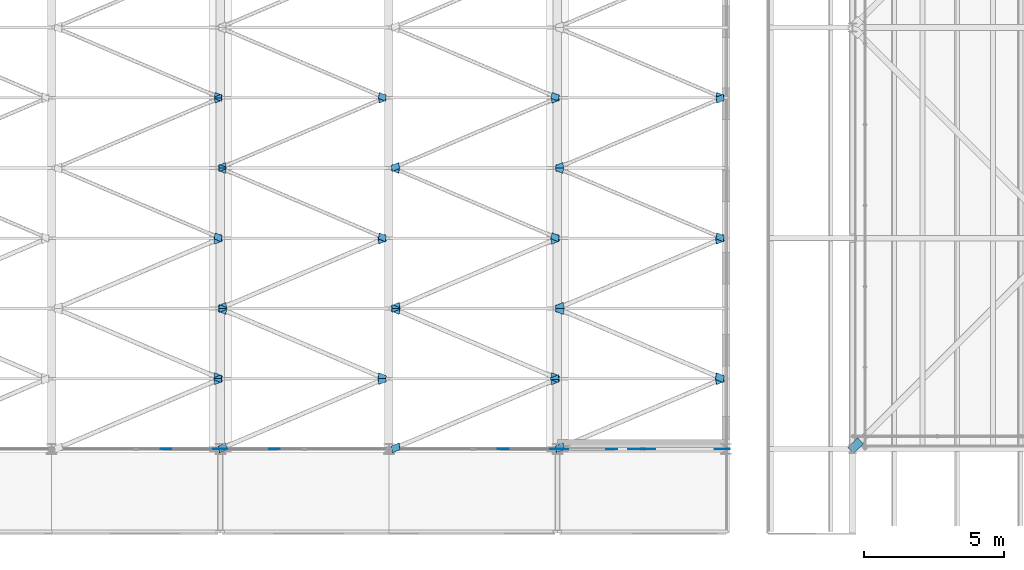
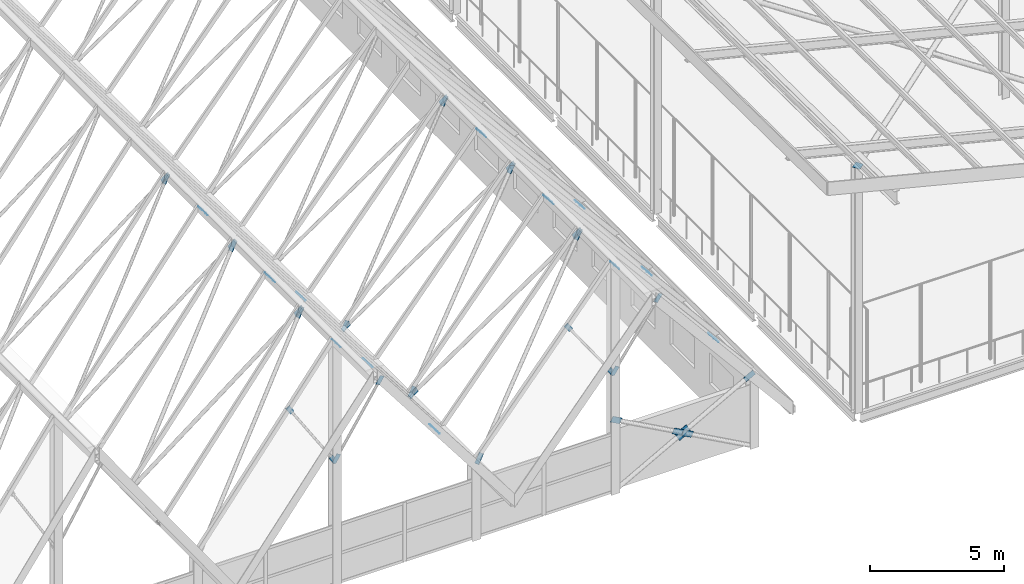
# One storey, part 429 of 483: 53 discrete accessories.
"""IFC4 building model written with IfcOpenShell, lengths in metres."""

from ifc_helpers import new_model, si_unit, direction, frame, origin, place, context, subcontext, project, spatial, polyline, outline, extrude, material, layer, layer_set, type_object, element, save


model = new_model("IFC4")

# Units and contexts
model_context = context("Model", 3, precision=1e-05, world=origin(), true_north=direction((0.0, 1.0)))
body_context = subcontext(model_context, "Body", "Model", "MODEL_VIEW")
ifc_project = project(units=[si_unit("LENGTHUNIT", "METRE"), si_unit("AREAUNIT", "SQUARE_METRE"), si_unit("VOLUMEUNIT", "CUBIC_METRE"), si_unit("PLANEANGLEUNIT", "RADIAN"), si_unit("MASSUNIT", "GRAM", prefix="KILO")], contexts=[model_context])

# Site, building, storey
site_placement = place(None, origin())
site = spatial("IfcSite", under=ifc_project, at=site_placement, CompositionType="ELEMENT")
building_placement = place(site_placement, origin())
building = spatial("IfcBuilding", under=site, at=building_placement, Name="Parallax Yard Mobility Hub", CompositionType="ELEMENT")
storey_placement = place(building_placement, frame((0.0, 0.0, 13.199951171875)))
storey = spatial("IfcBuildingStorey", under=building, at=storey_placement, Name="L04", CompositionType="ELEMENT", Elevation=13.199951171875)

# Discrete accessories
ifc_material = material(Name="Steel ASTM A36", Category="steel")
ifc_layer = layer(ifc_material, 0.011962890625)
ifc_layer_set = layer_set([ifc_layer], Name="Gusset plate PL12")
discrete_accessory_type = type_object("IfcDiscreteAccessoryType", Name="Gusset plate PL12", PredefinedType="BRACKET", material=ifc_layer_set)
for number, where, z_axis, x_axis, name in (
    (1, (74.80224609375, 9.787109375, 10.78173828125), (-0.793757608826, -0.000360064242, 0.60823410689), (0.58860275076, 0.251558252406, 0.768287216765), "Gusset plate PL12 at end 2 of Plate diagonal plate F11-F12 bay 1"),
    (2, (75.19775390625, 7.712890625, 10.78173828125), (0.793757608826, 0.000360064242, 0.60823410689), (-0.58860275076, -0.251558252406, 0.768287216765), "Gusset plate PL12 at end 1 of Plate diagonal plate F12-F13 bay 1"),
):
    element("IfcDiscreteAccessory", number, at=place(storey_placement, frame(where, z_axis=z_axis, x_axis=x_axis)), inside=storey, type_object=discrete_accessory_type, Name=name, PredefinedType="BRACKET", context=body_context, shape_type="SweptSolid", body=[
        extrude(outline(polyline([(0.0, 0.0), (0.44837713599566964, 0.0), (0.44837726892984486, 0.24846871617768845), (1.3293417525095386e-07, 0.24846871617768843), (0.0, 0.0)])), origin(), (0.0, 0.0, -1.0), 0.011962890625),
    ])
discrete_accessory_1_placement = place(storey_placement, frame((80.64990234375, 9.787109375, 3.66748046875), z_axis=(0.793562548739, 0.000276717844, 0.608488623284), x_axis=(0.588849048877, 0.251663515801, -0.768063976796)))
element("IfcDiscreteAccessory", 3, at=discrete_accessory_1_placement, inside=storey, type_object=discrete_accessory_type, Name="Gusset plate PL12 at end 2 of Plate diagonal plate F12-F13 bay 1", PredefinedType="BRACKET", context=body_context, shape_type="SweptSolid", body=[
    extrude(outline(polyline([(0.0, 0.0), (0.44818959311966156, -1.3877787807814457e-17), (0.44821672303905474, 0.2484687146965867), (2.7129919393138746e-05, 0.24846871469658674), (0.0, 0.0)])), origin(), (0.0, 0.0, -1.0), 0.011962890625),
])
discrete_accessory_2_placement = place(storey_placement, frame((81.359375, 7.71728515625, 3.654296875), z_axis=(-0.766561934344, 0.000320283639, 0.642170303138), x_axis=(-0.619236015729, -0.265231228733, -0.739052875056)))
element("IfcDiscreteAccessory", 4, at=discrete_accessory_2_placement, inside=storey, type_object=discrete_accessory_type, Name="Gusset plate PL12 at end 1 of Plate diagonal plate F13-F14 bay 1", PredefinedType="BRACKET", context=body_context, shape_type="SweptSolid", body=[
    extrude(outline(polyline([(0.0, 0.0), (0.4482748314765935, 1.3877787807814457e-17), (0.4482296235420875, 0.24815762256273663), (1.954578344626895e-05, 0.24839301923788817), (0.0, 0.0)])), origin(), (0.0, 0.0, -1.0), 0.011962890625),
])
discrete_accessory_3_placement = place(storey_placement, frame((86.79296875, 9.78271484375, 10.138427734375), z_axis=(-0.766423126703, -0.000338641757, 0.642335952736), x_axis=(0.619296461685, 0.265035150302, 0.739072568595)))
element("IfcDiscreteAccessory", 5, at=discrete_accessory_3_placement, inside=storey, type_object=discrete_accessory_type, Name="Gusset plate PL12 at end 2 of Plate diagonal plate F13-F14 bay 1", PredefinedType="BRACKET", context=body_context, shape_type="SweptSolid", body=[
    extrude(outline(polyline([(0.0, 0.0), (0.44860645501608926, -1.3877787807814457e-17), (0.448359590090144, 0.248199172678914), (0.00014947398532942635, 0.2483434176633075), (0.0, 0.0)])), origin(), (0.0, 0.0, -1.0), 0.011962890625),
])
discrete_accessory_4_placement = place(storey_placement, frame((87.207275390625, 7.716796875, 10.138427734375), z_axis=(0.766323593675, -0.0005483988, 0.642454550171), x_axis=(-0.619839223364, -0.263622305895, 0.739122870039)))
element("IfcDiscreteAccessory", 6, at=discrete_accessory_4_placement, inside=storey, type_object=discrete_accessory_type, Name="Gusset plate PL12 at end 1 of Plate diagonal plate F14-F15 bay 1", PredefinedType="BRACKET", context=body_context, shape_type="SweptSolid", body=[
    extrude(outline(polyline([(0.0, 0.0), (0.4482324137899927, 0.0), (0.4481693826464289, 0.24830205012139606), (-6.303114356377704e-05, 0.24830205012139606), (0.0, 0.0)])), origin(), (0.0, 0.0, -1.0), 0.011962890625),
])
discrete_accessory_5_placement = place(storey_placement, frame((92.665771484375, 9.783203125, 3.624267578125), z_axis=(0.766378615335, -0.000197596238, 0.642389117991), x_axis=(0.619705157679, 0.263622344498, -0.739235265006)))
element("IfcDiscreteAccessory", 7, at=discrete_accessory_5_placement, inside=storey, type_object=discrete_accessory_type, Name="Gusset plate PL12 at end 2 of Plate diagonal plate F14-F15 bay 1", PredefinedType="BRACKET", context=body_context, shape_type="SweptSolid", body=[
    extrude(outline(polyline([(0.0, 0.0), (0.4482324069306387, -1.3877787807814457e-17), (0.4483498394270229, 0.2482526830043332), (-6.30448632363001e-05, 0.24830203773547466), (0.0, 0.0)])), origin(), (0.0, 0.0, -1.0), 0.011962890625),
])
discrete_accessory_6_placement = place(storey_placement, frame((74.76416015625, 9.972412109375, 10.732177734375), z_axis=(-0.793757608826, 0.000360064242, 0.60823410689), x_axis=(0.58860275076, -0.251558252406, 0.768287216765)))
element("IfcDiscreteAccessory", 8, at=discrete_accessory_6_placement, inside=storey, type_object=discrete_accessory_type, Name="Gusset plate PL12 at end 1 of Plate diagonal plate F11-F12 bay 2", PredefinedType="BRACKET", context=body_context, shape_type="SweptSolid", body=[
    extrude(outline(polyline([(0.0, 0.0), (0.44837713599566964, 0.0), (0.44837700306149436, 0.24846871617768845), (-1.3293417525095386e-07, 0.24846871617768843), (0.0, 0.0)])), origin(), (0.0, 0.0, -1.0), 0.011962890625),
])
discrete_accessory_7_placement = place(storey_placement, frame((80.61181640625, 9.972412109375, 3.717041015625), z_axis=(0.793562548739, -0.000276717844, 0.608488623284), x_axis=(0.588849048877, -0.251663515801, -0.768063976796)))
element("IfcDiscreteAccessory", 9, at=discrete_accessory_7_placement, inside=storey, type_object=discrete_accessory_type, Name="Gusset plate PL12 at end 1 of Plate diagonal plate F12-F13 bay 2", PredefinedType="BRACKET", context=body_context, shape_type="SweptSolid", body=[
    extrude(outline(polyline([(0.0, 0.0), (0.44818959311966156, 1.3877787807814457e-17), (0.4481624632002684, 0.24846871469658677), (-2.7129919393138746e-05, 0.24846871469658674), (0.0, 0.0)])), origin(), (0.0, 0.0, -1.0), 0.011962890625),
])
discrete_accessory_8_placement = place(storey_placement, frame((75.23583984375, 12.527587890625, 10.732177734375), z_axis=(0.793757608826, -0.000360064242, 0.60823410689), x_axis=(-0.58860275076, 0.251558252406, 0.768287216765)))
element("IfcDiscreteAccessory", 10, at=discrete_accessory_8_placement, inside=storey, type_object=discrete_accessory_type, Name="Gusset plate PL12 at end 2 of Plate diagonal plate F12-F13 bay 2", PredefinedType="BRACKET", context=body_context, shape_type="SweptSolid", body=[
    extrude(outline(polyline([(0.0, 0.0), (0.44837713599566964, 0.0), (0.44837700306149436, 0.24846871617768845), (-1.3293417525095386e-07, 0.24846871617768843), (0.0, 0.0)])), origin(), (0.0, 0.0, -1.0), 0.011962890625),
])
discrete_accessory_9_placement = place(storey_placement, frame((86.750732421875, 9.977783203125, 10.088134765625), z_axis=(-0.766423126703, 0.000338641757, 0.642335952736), x_axis=(0.619351298073, -0.264724820984, 0.739137834731)))
element("IfcDiscreteAccessory", 11, at=discrete_accessory_9_placement, inside=storey, type_object=discrete_accessory_type, Name="Gusset plate PL12 at end 1 of Plate diagonal plate F13-F14 bay 2", PredefinedType="BRACKET", context=body_context, shape_type="SweptSolid", body=[
    extrude(outline(polyline([(0.0, 0.0), (0.448210139315597, 0.0), (0.4485368807925598, 0.24819908037862726), (-6.955099222361733e-05, 0.2483434529071056), (0.0, 0.0)])), origin(), (0.0, 0.0, -1.0), 0.011962890625),
])
discrete_accessory_10_placement = place(storey_placement, frame((81.401611328125, 12.522216796875, 3.704833984375), z_axis=(-0.766561934344, -0.000320283639, 0.642170303138), x_axis=(-0.619325258726, 0.264724809384, -0.739159657449)))
element("IfcDiscreteAccessory", 12, at=discrete_accessory_10_placement, inside=storey, type_object=discrete_accessory_type, Name="Gusset plate PL12 at end 2 of Plate diagonal plate F13-F14 bay 2", PredefinedType="BRACKET", context=body_context, shape_type="SweptSolid", body=[
    extrude(outline(polyline([(0.0, 0.0), (0.4482101395729484, 0.0), (0.44838567806295226, 0.2481575645955318), (0.0001109084095877802, 0.24839299524639621), (0.0, 0.0)])), origin(), (0.0, 0.0, -1.0), 0.011962890625),
])
discrete_accessory_11_placement = place(storey_placement, frame((92.623779296875, 9.977294921875, 3.674560546875), z_axis=(0.766378615335, 0.000197596238, 0.642389117991), x_axis=(0.619723777212, -0.263516170987, -0.739257511011)))
element("IfcDiscreteAccessory", 13, at=discrete_accessory_11_placement, inside=storey, type_object=discrete_accessory_type, Name="Gusset plate PL12 at end 1 of Plate diagonal plate F14-F15 bay 2", PredefinedType="BRACKET", context=body_context, shape_type="SweptSolid", body=[
    extrude(outline(polyline([(0.0, 0.0), (0.4484128870063827, -2.7755575615628914e-17), (0.44832277853457225, 0.2482526944258702), (9.037431896376236e-05, 0.24830202929240497), (0.0, 0.0)])), origin(), (0.0, 0.0, -1.0), 0.011962890625),
])
discrete_accessory_12_placement = place(storey_placement, frame((87.249267578125, 12.522705078125, 10.088134765625), z_axis=(0.766323593675, 0.0005483988, 0.642454550171), x_axis=(-0.619839223364, 0.263622305895, 0.739122870039)))
element("IfcDiscreteAccessory", 14, at=discrete_accessory_12_placement, inside=storey, type_object=discrete_accessory_type, Name="Gusset plate PL12 at end 2 of Plate diagonal plate F14-F15 bay 2", PredefinedType="BRACKET", context=body_context, shape_type="SweptSolid", body=[
    extrude(outline(polyline([(0.0, 0.0), (0.4482324137899927, 0.0), (0.44829544493355644, 0.24830205012139606), (6.303114356377704e-05, 0.24830205012139606), (0.0, 0.0)])), origin(), (0.0, 0.0, -1.0), 0.011962890625),
])
for number, where, z_axis, x_axis, name in (
    (15, (74.80224609375, 14.787109375, 10.78173828125), (-0.793757608826, -0.000360064242, 0.60823410689), (0.58860275076, 0.251558252406, 0.768287216765), "Gusset plate PL12 at end 2 of Plate diagonal plate F11-F12 bay 3"),
    (16, (75.19775390625, 12.712890625, 10.78173828125), (0.793757608826, 0.000360064242, 0.60823410689), (-0.58860275076, -0.251558252406, 0.768287216765), "Gusset plate PL12 at end 1 of Plate diagonal plate F12-F13 bay 3"),
):
    element("IfcDiscreteAccessory", number, at=place(storey_placement, frame(where, z_axis=z_axis, x_axis=x_axis)), inside=storey, type_object=discrete_accessory_type, Name=name, PredefinedType="BRACKET", context=body_context, shape_type="SweptSolid", body=[
        extrude(outline(polyline([(0.0, 0.0), (0.44837713599566964, 0.0), (0.44837726892984486, 0.24846871617768845), (1.3293417525095386e-07, 0.24846871617768843), (0.0, 0.0)])), origin(), (0.0, 0.0, -1.0), 0.011962890625),
    ])
discrete_accessory_13_placement = place(storey_placement, frame((80.64990234375, 14.787109375, 3.66748046875), z_axis=(0.793562548739, 0.000276717844, 0.608488623284), x_axis=(0.588849048877, 0.251663515801, -0.768063976796)))
element("IfcDiscreteAccessory", 17, at=discrete_accessory_13_placement, inside=storey, type_object=discrete_accessory_type, Name="Gusset plate PL12 at end 2 of Plate diagonal plate F12-F13 bay 3", PredefinedType="BRACKET", context=body_context, shape_type="SweptSolid", body=[
    extrude(outline(polyline([(0.0, 0.0), (0.44818959311966156, -1.3877787807814457e-17), (0.44821672303905474, 0.2484687146965867), (2.7129919393138746e-05, 0.24846871469658674), (0.0, 0.0)])), origin(), (0.0, 0.0, -1.0), 0.011962890625),
])
discrete_accessory_14_placement = place(storey_placement, frame((81.359375, 12.71728515625, 3.654296875), z_axis=(-0.766561934344, 0.000320283639, 0.642170303138), x_axis=(-0.619236015729, -0.265231228733, -0.739052875056)))
element("IfcDiscreteAccessory", 18, at=discrete_accessory_14_placement, inside=storey, type_object=discrete_accessory_type, Name="Gusset plate PL12 at end 1 of Plate diagonal plate F13-F14 bay 3", PredefinedType="BRACKET", context=body_context, shape_type="SweptSolid", body=[
    extrude(outline(polyline([(0.0, 0.0), (0.4482748314765935, 1.3877787807814457e-17), (0.4482296235420875, 0.24815762256273663), (1.954578344626895e-05, 0.24839301923788817), (0.0, 0.0)])), origin(), (0.0, 0.0, -1.0), 0.011962890625),
])
discrete_accessory_15_placement = place(storey_placement, frame((86.79296875, 14.78271484375, 10.138427734375), z_axis=(-0.766423126703, -0.000338641757, 0.642335952736), x_axis=(0.619296461685, 0.265035150302, 0.739072568595)))
element("IfcDiscreteAccessory", 19, at=discrete_accessory_15_placement, inside=storey, type_object=discrete_accessory_type, Name="Gusset plate PL12 at end 2 of Plate diagonal plate F13-F14 bay 3", PredefinedType="BRACKET", context=body_context, shape_type="SweptSolid", body=[
    extrude(outline(polyline([(0.0, 0.0), (0.44860645501608926, -1.3877787807814457e-17), (0.448359590090144, 0.248199172678914), (0.00014947398532942635, 0.2483434176633075), (0.0, 0.0)])), origin(), (0.0, 0.0, -1.0), 0.011962890625),
])
discrete_accessory_16_placement = place(storey_placement, frame((87.207275390625, 12.716796875, 10.138427734375), z_axis=(0.766323593675, -0.0005483988, 0.642454550171), x_axis=(-0.619839223364, -0.263622305895, 0.739122870039)))
element("IfcDiscreteAccessory", 20, at=discrete_accessory_16_placement, inside=storey, type_object=discrete_accessory_type, Name="Gusset plate PL12 at end 1 of Plate diagonal plate F14-F15 bay 3", PredefinedType="BRACKET", context=body_context, shape_type="SweptSolid", body=[
    extrude(outline(polyline([(0.0, 0.0), (0.4482324137899927, 0.0), (0.4481693826464289, 0.24830205012139606), (-6.303114356377704e-05, 0.24830205012139606), (0.0, 0.0)])), origin(), (0.0, 0.0, -1.0), 0.011962890625),
])
discrete_accessory_17_placement = place(storey_placement, frame((92.665771484375, 14.783203125, 3.624267578125), z_axis=(0.766378615335, -0.000197596238, 0.642389117991), x_axis=(0.619705157679, 0.263622344498, -0.739235265006)))
element("IfcDiscreteAccessory", 21, at=discrete_accessory_17_placement, inside=storey, type_object=discrete_accessory_type, Name="Gusset plate PL12 at end 2 of Plate diagonal plate F14-F15 bay 3", PredefinedType="BRACKET", context=body_context, shape_type="SweptSolid", body=[
    extrude(outline(polyline([(0.0, 0.0), (0.4482324069306387, -1.3877787807814457e-17), (0.4483498394270229, 0.2482526830043332), (-6.30448632363001e-05, 0.24830203773547466), (0.0, 0.0)])), origin(), (0.0, 0.0, -1.0), 0.011962890625),
])
discrete_accessory_18_placement = place(storey_placement, frame((74.783203125, 14.979248046875, 10.7568359375), z_axis=(-0.793814652536, 8.9168627e-05, 0.608159756534), x_axis=(0.588543803206, -0.251817654929, 0.768247395292)))
element("IfcDiscreteAccessory", 22, at=discrete_accessory_18_placement, inside=storey, type_object=discrete_accessory_type, Name="Gusset plate PL12 at end 1 of Plate diagonal plate F11-F12 bay 4", PredefinedType="BRACKET", context=body_context, shape_type="SweptSolid", body=[
    extrude(outline(polyline([(0.0, 0.0), (0.41979936098883397, -2.7755575615628914e-17), (0.4198409621977497, 0.21973808712240064), (4.1601208915741095e-05, 0.21973808712240064), (0.0, 0.0)])), origin(), (0.0, 0.0, -1.0), 0.011962890625),
])
discrete_accessory_19_placement = place(storey_placement, frame((80.630859375, 14.979248046875, 3.6923828125), z_axis=(0.793746279753, 0.000395732461, 0.60824886911), x_axis=(0.588727021511, -0.251817570299, -0.768107027328)))
element("IfcDiscreteAccessory", 23, at=discrete_accessory_19_placement, inside=storey, type_object=discrete_accessory_type, Name="Gusset plate PL12 at end 1 of Plate diagonal plate F12-F13 bay 4", PredefinedType="BRACKET", context=body_context, shape_type="SweptSolid", body=[
    extrude(outline(polyline([(0.0, 0.0), (0.41979934980703304, -4.163336342344337e-17), (0.41984097338065895, 0.2197380657558558), (-0.00010210860936022553, 0.21970074549524257), (0.0, 0.0)])), origin(), (0.0, 0.0, -1.0), 0.011962890625),
])
discrete_accessory_20_placement = place(storey_placement, frame((75.216796875, 17.520751953125, 10.7568359375), z_axis=(0.793814652536, -8.9168627e-05, 0.608159756534), x_axis=(-0.588543803206, 0.251817654929, 0.768247395292)))
element("IfcDiscreteAccessory", 24, at=discrete_accessory_20_placement, inside=storey, type_object=discrete_accessory_type, Name="Gusset plate PL12 at end 2 of Plate diagonal plate F12-F13 bay 4", PredefinedType="BRACKET", context=body_context, shape_type="SweptSolid", body=[
    extrude(outline(polyline([(0.0, 0.0), (0.41979936098883397, -2.7755575615628914e-17), (0.4198409621977497, 0.21973808712240064), (4.1601208915741095e-05, 0.21973808712240064), (0.0, 0.0)])), origin(), (0.0, 0.0, -1.0), 0.011962890625),
])
discrete_accessory_21_placement = place(storey_placement, frame((86.77099609375, 14.98388671875, 10.112060546875), z_axis=(-0.766747811527, -0.000630720842, 0.641948125403), x_axis=(0.619194033043, -0.264611471916, 0.739310163851)))
element("IfcDiscreteAccessory", 25, at=discrete_accessory_21_placement, inside=storey, type_object=discrete_accessory_type, Name="Gusset plate PL12 at end 1 of Plate diagonal plate F13-F14 bay 4", PredefinedType="BRACKET", context=body_context, shape_type="SweptSolid", body=[
    extrude(outline(polyline([(0.0, 0.0), (0.41980055741407596, 1.3877787807814457e-17), (0.4197342721074152, 0.21972883832774476), (8.488511156258538e-05, 0.21977019588146246), (0.0, 0.0)])), origin(), (0.0, 0.0, -1.0), 0.011962890625),
])
discrete_accessory_22_placement = place(storey_placement, frame((81.381591796875, 17.51611328125, 3.6806640625), z_axis=(-0.766426841757, 0.000485063303, 0.642331426094), x_axis=(-0.619317240789, 0.264724925871, -0.739166333706)))
element("IfcDiscreteAccessory", 26, at=discrete_accessory_22_placement, inside=storey, type_object=discrete_accessory_type, Name="Gusset plate PL12 at end 2 of Plate diagonal plate F13-F14 bay 4", PredefinedType="BRACKET", context=body_context, shape_type="SweptSolid", body=[
    extrude(outline(polyline([(0.0, 0.0), (0.4196201041303643, 0.0), (0.41967912299094895, 0.2197701569995703), (2.9758828134156257e-05, 0.21976229757594196), (0.0, 0.0)])), origin(), (0.0, 0.0, -1.0), 0.011962890625),
])
discrete_accessory_23_placement = place(storey_placement, frame((92.643798828125, 14.983642578125, 3.650390625), z_axis=(0.766350564195, 6.0395944e-05, 0.642422609433), x_axis=(0.619647749995, -0.263975236545, -0.739157453062)))
element("IfcDiscreteAccessory", 27, at=discrete_accessory_23_placement, inside=storey, type_object=discrete_accessory_type, Name="Gusset plate PL12 at end 1 of Plate diagonal plate F14-F15 bay 4", PredefinedType="BRACKET", context=body_context, shape_type="SweptSolid", body=[
    extrude(outline(polyline([(0.0, 0.0), (0.4198873002265475, 0.0), (0.41972095108079355, 0.2199147941764037), (4.937912244436238e-05, 0.21972070471412608), (0.0, 0.0)])), origin(), (0.0, 0.0, -1.0), 0.011962890625),
])
discrete_accessory_24_placement = place(storey_placement, frame((87.22900390625, 17.516357421875, 10.112060546875), z_axis=(0.766560723471, 0.000412226513, 0.642171696123), x_axis=(-0.619460290951, 0.264070357105, 0.73928059249)))
element("IfcDiscreteAccessory", 28, at=discrete_accessory_24_placement, inside=storey, type_object=discrete_accessory_type, Name="Gusset plate PL12 at end 2 of Plate diagonal plate F14-F15 bay 4", PredefinedType="BRACKET", context=body_context, shape_type="SweptSolid", body=[
    extrude(outline(polyline([(0.0, 0.0), (0.41973603150491046, 0.0), (0.41954801679147935, 0.21991479661479002), (-0.00012354441140352557, 0.21967932216861122), (0.0, 0.0)])), origin(), (0.0, 0.0, -1.0), 0.011962890625),
])
for number, where, z_axis, x_axis, name in (
    (29, (74.81689453125, 19.80810546875, 10.80078125), (-0.793814652536, -8.9168627e-05, 0.608159756534), (0.588543803206, 0.251817654929, 0.768247395292), "Gusset plate PL12 at end 2 of Plate diagonal plate F11-F12 bay 5"),
    (30, (75.18310546875, 17.69189453125, 10.80078125), (0.793814652536, 8.9168627e-05, 0.608159756534), (-0.588543803206, -0.251817654929, 0.768247395292), "Gusset plate PL12 at end 1 of Plate diagonal plate F12-F13 bay 5"),
):
    element("IfcDiscreteAccessory", number, at=place(storey_placement, frame(where, z_axis=z_axis, x_axis=x_axis)), inside=storey, type_object=discrete_accessory_type, Name=name, PredefinedType="BRACKET", context=body_context, shape_type="SweptSolid", body=[
        extrude(outline(polyline([(0.0, 0.0), (0.41979936098883397, 2.7755575615628914e-17), (0.4197577597799182, 0.2197380871224007), (-4.1601208915741095e-05, 0.21973808712240064), (0.0, 0.0)])), origin(), (0.0, 0.0, -1.0), 0.011962890625),
    ])
discrete_accessory_25_placement = place(storey_placement, frame((80.664306640625, 19.80810546875, 3.6484375), z_axis=(0.793746279753, -0.000395732461, 0.60824886911), x_axis=(0.588740604162, 0.251731563359, -0.768124808231)))
element("IfcDiscreteAccessory", 31, at=discrete_accessory_25_placement, inside=storey, type_object=discrete_accessory_type, Name="Gusset plate PL12 at end 2 of Plate diagonal plate F12-F13 bay 5", PredefinedType="BRACKET", context=body_context, shape_type="SweptSolid", body=[
    extrude(outline(polyline([(0.0, 0.0), (0.4199430836483414, 0.0), (0.4198819319954805, 0.21973806118904854), (8.258384620210557e-05, 0.21970075370203399), (0.0, 0.0)])), origin(), (0.0, 0.0, -1.0), 0.011962890625),
])
discrete_accessory_26_placement = place(storey_placement, frame((81.343994140625, 17.69580078125, 3.63623046875), z_axis=(-0.766426841757, -0.000485063303, 0.642331426094), x_axis=(-0.619320432019, -0.264706865438, -0.739170127828)))
element("IfcDiscreteAccessory", 32, at=discrete_accessory_26_placement, inside=storey, type_object=discrete_accessory_type, Name="Gusset plate PL12 at end 1 of Plate diagonal plate F13-F14 bay 5", PredefinedType="BRACKET", context=body_context, shape_type="SweptSolid", body=[
    extrude(outline(polyline([(0.0, 0.0), (0.41964936423641264, 0.0), (0.4195862293997118, 0.2197701558556896), (-3.38746570599166e-05, 0.21976229698006056), (0.0, 0.0)])), origin(), (0.0, 0.0, -1.0), 0.011962890625),
])
discrete_accessory_27_placement = place(storey_placement, frame((86.808349609375, 19.80419921875, 10.15673828125), z_axis=(-0.766747811527, 0.000630720842, 0.641948125403), x_axis=(0.619177335166, 0.264706510349, 0.739290126402)))
element("IfcDiscreteAccessory", 33, at=discrete_accessory_27_placement, inside=storey, type_object=discrete_accessory_type, Name="Gusset plate PL12 at end 2 of Plate diagonal plate F13-F14 bay 5", PredefinedType="BRACKET", context=body_context, shape_type="SweptSolid", body=[
    extrude(outline(polyline([(0.0, 0.0), (0.41964938903380067, 0.0), (0.41973732919648377, 0.21972883072808136), (-6.32261789101779e-05, 0.21977020317984158), (0.0, 0.0)])), origin(), (0.0, 0.0, -1.0), 0.011962890625),
])
discrete_accessory_28_placement = place(storey_placement, frame((87.19189453125, 17.695556640625, 10.156494140625), z_axis=(0.766560723471, -0.000412226513, 0.642171696123), x_axis=(-0.619555171614, -0.263529140311, 0.739394199013)))
element("IfcDiscreteAccessory", 34, at=discrete_accessory_28_placement, inside=storey, type_object=discrete_accessory_type, Name="Gusset plate PL12 at end 1 of Plate diagonal plate F14-F15 bay 5", PredefinedType="BRACKET", context=body_context, shape_type="SweptSolid", body=[
    extrude(outline(polyline([(0.0, 0.0), (0.41967162726431706, 0.0), (0.41973624948705845, 0.21991486749109354), (2.840537202744575e-07, 0.21967935690820234), (0.0, 0.0)])), origin(), (0.0, 0.0, -1.0), 0.011962890625),
])
discrete_accessory_29_placement = place(storey_placement, frame((92.68115234375, 19.804443359375, 3.60595703125), z_axis=(0.766350564195, -6.0395944e-05, 0.642422609433), x_axis=(0.619726092025, 0.263529133346, -0.739250949774)))
element("IfcDiscreteAccessory", 35, at=discrete_accessory_29_placement, inside=storey, type_object=discrete_accessory_type, Name="Gusset plate PL12 at end 2 of Plate diagonal plate F14-F15 bay 5", PredefinedType="BRACKET", context=body_context, shape_type="SweptSolid", body=[
    extrude(outline(polyline([(0.0, 0.0), (0.41967161683953713, 0.0), (0.4197362599134438, 0.21991484759097396), (-0.0001509954088498508, 0.2197206583795808), (0.0, 0.0)])), origin(), (0.0, 0.0, -1.0), 0.011962890625),
])
discrete_accessory_30_placement = place(storey_placement, frame((74.783203125, 19.979248046875, 10.7568359375), z_axis=(-0.793814652536, 8.9168627e-05, 0.608159756534), x_axis=(0.588543803206, -0.251817654929, 0.768247395292)))
element("IfcDiscreteAccessory", 36, at=discrete_accessory_30_placement, inside=storey, type_object=discrete_accessory_type, Name="Gusset plate PL12 at end 1 of Plate diagonal plate F11-F12 bay 6", PredefinedType="BRACKET", context=body_context, shape_type="SweptSolid", body=[
    extrude(outline(polyline([(0.0, 0.0), (0.41979936098883397, -2.7755575615628914e-17), (0.4198409621977497, 0.21973808712240064), (4.1601208915741095e-05, 0.21973808712240064), (0.0, 0.0)])), origin(), (0.0, 0.0, -1.0), 0.011962890625),
])
discrete_accessory_31_placement = place(storey_placement, frame((80.630859375, 19.979248046875, 3.6923828125), z_axis=(0.793746279753, 0.000395732461, 0.60824886911), x_axis=(0.588727021511, -0.251817570299, -0.768107027328)))
element("IfcDiscreteAccessory", 37, at=discrete_accessory_31_placement, inside=storey, type_object=discrete_accessory_type, Name="Gusset plate PL12 at end 1 of Plate diagonal plate F12-F13 bay 6", PredefinedType="BRACKET", context=body_context, shape_type="SweptSolid", body=[
    extrude(outline(polyline([(0.0, 0.0), (0.41979934980703304, -4.163336342344337e-17), (0.41984097338065895, 0.2197380657558558), (-0.00010210860936022553, 0.21970074549524257), (0.0, 0.0)])), origin(), (0.0, 0.0, -1.0), 0.011962890625),
])
discrete_accessory_32_placement = place(storey_placement, frame((86.77099609375, 19.98388671875, 10.112060546875), z_axis=(-0.766747811527, -0.000630720842, 0.641948125403), x_axis=(0.619194033043, -0.264611471916, 0.739310163851)))
element("IfcDiscreteAccessory", 38, at=discrete_accessory_32_placement, inside=storey, type_object=discrete_accessory_type, Name="Gusset plate PL12 at end 1 of Plate diagonal plate F13-F14 bay 6", PredefinedType="BRACKET", context=body_context, shape_type="SweptSolid", body=[
    extrude(outline(polyline([(0.0, 0.0), (0.41980055741407596, 1.3877787807814457e-17), (0.4197342721074152, 0.21972883832774476), (8.488511156258538e-05, 0.21977019588146246), (0.0, 0.0)])), origin(), (0.0, 0.0, -1.0), 0.011962890625),
])
discrete_accessory_33_placement = place(storey_placement, frame((92.643798828125, 19.983642578125, 3.650390625), z_axis=(0.766350564195, 6.0395944e-05, 0.642422609433), x_axis=(0.619647749995, -0.263975236545, -0.739157453062)))
element("IfcDiscreteAccessory", 39, at=discrete_accessory_33_placement, inside=storey, type_object=discrete_accessory_type, Name="Gusset plate PL12 at end 1 of Plate diagonal plate F14-F15 bay 6", PredefinedType="BRACKET", context=body_context, shape_type="SweptSolid", body=[
    extrude(outline(polyline([(0.0, 0.0), (0.4198873002265475, 0.0), (0.41972095108079355, 0.2199147941764037), (4.937912244436238e-05, 0.21972070471412608), (0.0, 0.0)])), origin(), (0.0, 0.0, -1.0), 0.011962890625),
])
discrete_accessory_34_placement = place(storey_placement, frame((92.606689453125, 7.5, 3.23095703125), z_axis=(0.0, 1.0, 0.0), x_axis=(0.876260918748, 0.0, 0.481836904226)))
element("IfcDiscreteAccessory", 40, at=discrete_accessory_34_placement, inside=storey, type_object=discrete_accessory_type, Name="Gusset plate PL12 at end 2 of X brace east end bay south face level 4 1", PredefinedType="BRACKET", context=body_context, shape_type="SweptSolid", body=[
    extrude(outline(polyline([(0.0, 0.0), (0.4580452909772414, 2.7755575615628914e-17), (0.4577912805793759, 0.25785907180368317), (0.00029148734181290437, 0.2578804128412087), (0.0, 0.0)])), origin(), (0.0, 0.0, -1.0), 0.011962890625),
])
discrete_accessory_35_placement = place(storey_placement, frame((90.350830078125, 7.5, 1.31005859375), z_axis=(0.0, 1.0, 0.0), x_axis=(-0.876137085839, 0.0, 0.482062036274)))
element("IfcDiscreteAccessory", 41, at=discrete_accessory_35_placement, inside=storey, type_object=discrete_accessory_type, Name="Gusset plate PL12 at end 2 of X brace east end bay south face level 4 2 (half 1)", PredefinedType="BRACKET", context=body_context, shape_type="SweptSolid", body=[
    extrude(outline(polyline([(0.0, 0.0), (0.45783137520166645, -2.7755575615628914e-17), (0.45782004875185034, 0.25776278829712423), (-1.1326449816093098e-05, 0.2577627882971243), (0.0, 0.0)])), origin(), (0.0, 0.0, -1.0), 0.011962890625),
])
discrete_accessory_36_placement = place(storey_placement, frame((89.649169921875, 7.5, 1.989990234375), z_axis=(0.0, 1.0, 0.0), x_axis=(0.876362269373, 0.0, -0.481652543666)))
element("IfcDiscreteAccessory", 42, at=discrete_accessory_36_placement, inside=storey, type_object=discrete_accessory_type, Name="Gusset plate PL12 at end 1 of X brace east end bay south face level 4 2 (half 2)", PredefinedType="BRACKET", context=body_context, shape_type="SweptSolid", body=[
    extrude(outline(polyline([(0.0, 0.0), (0.45771373425530937, 0.0), (0.4576995399985189, 0.25797671048953025), (-0.0001317852098339095, 0.2577627548573592), (0.0, 0.0)])), origin(), (0.0, 0.0, -1.0), 0.011962890625),
])
discrete_accessory_37_placement = place(storey_placement, frame((87.268798828125, 7.5, 3.005126953125), z_axis=(0.0, 1.0, 0.0), x_axis=(-0.876238441502, 0.0, 0.481877778731)))
element("IfcDiscreteAccessory", 43, at=discrete_accessory_37_placement, inside=storey, type_object=discrete_accessory_type, Name="Gusset plate PL12 at end 2 of X brace east end bay south face level 4 2 (half 2)", PredefinedType="BRACKET", context=body_context, shape_type="SweptSolid", body=[
    extrude(outline(polyline([(0.0, 0.0), (0.45749979373531174, 0.0), (0.45776583251018776, 0.2578590596742909), (-0.0002794579687115245, 0.2578804261576796), (0.0, 0.0)])), origin(), (0.0, 0.0, -1.0), 0.011962890625),
])
discrete_accessory_38_placement = place(storey_placement, frame((74.911865234375, 7.5, 5.9169921875), z_axis=(0.0, 1.0, 0.0), x_axis=(0.540757591313, 0.0, -0.841178475377)))
element("IfcDiscreteAccessory", 44, at=discrete_accessory_38_placement, inside=storey, type_object=discrete_accessory_type, Name="Gusset plate PL12 at end 1 of Gable knee brace F12 south west", PredefinedType="BRACKET", context=body_context, shape_type="SweptSolid", body=[
    extrude(outline(polyline([(0.0, 0.0), (0.3941410514594834, 0.0), (0.393994361574687, 0.1943640973552479), (-0.0001466898847964221, 0.1943640973552479), (0.0, 0.0)])), origin(), (0.0, 0.0, -1.0), 0.011962890625),
])
discrete_accessory_39_placement = place(storey_placement, frame((73.088134765625, 7.5, 8.39501953125), z_axis=(0.0, 1.0, 0.0), x_axis=(-0.540475947876, 0.0, 0.841359465251)))
element("IfcDiscreteAccessory", 45, at=discrete_accessory_39_placement, inside=storey, type_object=discrete_accessory_type, Name="Gusset plate PL12 at end 2 of Gable knee brace F12 south west", PredefinedType="BRACKET", context=body_context, shape_type="SweptSolid", body=[
    extrude(outline(polyline([(0.0, 0.0), (0.39434643939744385, 0.0), (0.3942648195196839, 0.19436413557248192), (0.0001237901479359954, 0.19449608770819393), (0.0, 0.0)])), origin(), (0.0, 0.0, -1.0), 0.011962890625),
])
discrete_accessory_40_placement = place(storey_placement, frame((75.251708984375, 7.5, 5.81201171875), z_axis=(0.0, 1.0, 0.0), x_axis=(-0.540757591313, 0.0, -0.841178475377)))
element("IfcDiscreteAccessory", 46, at=discrete_accessory_40_placement, inside=storey, type_object=discrete_accessory_type, Name="Gusset plate PL12 at end 1 of Gable knee brace F12 south east", PredefinedType="BRACKET", context=body_context, shape_type="SweptSolid", body=[
    extrude(outline(polyline([(0.0, 0.0), (0.3941410514594834, 0.0), (0.39428774134427985, 0.19436409735524784), (0.0001466898847964221, 0.1943640973552479), (0.0, 0.0)])), origin(), (0.0, 0.0, -1.0), 0.011962890625),
])
discrete_accessory_41_placement = place(storey_placement, frame((76.748291015625, 7.5, 8.500244140625), z_axis=(0.0, 1.0, 0.0), x_axis=(0.540757591313, 0.0, 0.841178475377)))
element("IfcDiscreteAccessory", 47, at=discrete_accessory_41_placement, inside=storey, type_object=discrete_accessory_type, Name="Gusset plate PL12 at end 2 of Gable knee brace F12 south east", PredefinedType="BRACKET", context=body_context, shape_type="SweptSolid", body=[
    extrude(outline(polyline([(0.0, 0.0), (0.3941410514594834, 0.0), (0.39428774134427985, 0.19436409735524784), (-5.8675953918563284e-05, 0.19449611825156465), (0.0, 0.0)])), origin(), (0.0, 0.0, -1.0), 0.011962890625),
])
for number, where, z_axis, x_axis, name in (
    (48, (86.89990234375, 7.5, 5.71337890625), (0.0, 1.0, 0.0), (0.572297848879, 0.0, -0.820045835407), "Gusset plate PL12 at end 1 of Gable knee brace F14 south west"),
    (49, (85.10009765625, 7.5, 7.952392578125), (0.0, 1.0, 0.0), (-0.572297848879, 0.0, 0.820045835407), "Gusset plate PL12 at end 2 of Gable knee brace F14 south west"),
):
    element("IfcDiscreteAccessory", number, at=place(storey_placement, frame(where, z_axis=z_axis, x_axis=x_axis)), inside=storey, type_object=discrete_accessory_type, Name=name, PredefinedType="BRACKET", context=body_context, shape_type="SweptSolid", body=[
        extrude(outline(polyline([(0.0, 0.0), (0.3941757564558468, 0.0), (0.39423200782974105, 0.19444769277579024), (5.6251373894242174e-05, 0.19444769277579022), (0.0, 0.0)])), origin(), (0.0, 0.0, -1.0), 0.011962890625),
    ])
for number, where, z_axis, x_axis, name in (
    (50, (87.259521484375, 7.5, 5.60205078125), (0.0, 1.0, 0.0), (-0.572297848879, 0.0, -0.820045835407), "Gusset plate PL12 at end 1 of Gable knee brace F14 south east"),
    (51, (88.740478515625, 7.5, 8.063720703125), (0.0, 1.0, 0.0), (0.572297848879, 0.0, 0.820045835407), "Gusset plate PL12 at end 2 of Gable knee brace F14 south east"),
):
    element("IfcDiscreteAccessory", number, at=place(storey_placement, frame(where, z_axis=z_axis, x_axis=x_axis)), inside=storey, type_object=discrete_accessory_type, Name=name, PredefinedType="BRACKET", context=body_context, shape_type="SweptSolid", body=[
        extrude(outline(polyline([(0.0, 0.0), (0.3941757564558468, 0.0), (0.3941195050819526, 0.19444769277579024), (-5.6251373894242174e-05, 0.19444769277579022), (0.0, 0.0)])), origin(), (0.0, 0.0, -1.0), 0.011962890625),
    ])
discrete_accessory_42_placement = place(storey_placement, frame((97.690185546875, 7.89892578125, 11.058837890625), z_axis=(0.242483700594, 0.010019551945, 0.970103738538), x_axis=(-0.695195819888, -0.695671251399, 0.180953811752)))
element("IfcDiscreteAccessory", 52, at=discrete_accessory_42_placement, inside=storey, type_object=discrete_accessory_type, Name="Gusset plate PL12 at end 1 of Roof X brace west wing bay 1 1", PredefinedType="BRACKET", context=body_context, shape_type="SweptSolid", body=[
    extrude(outline(polyline([(0.0, 0.0), (0.49904069577589855, -3.8163916471489756e-17), (0.4992212884606772, 0.29892897936072854), (1.0867142813900804e-05, 0.29909418599107324), (0.0, 0.0)])), origin(), (0.0, 0.0, -1.0), 0.011962890625),
])
discrete_accessory_43_placement = place(storey_placement, frame((89.653564453125, 7.5, 1.69921875), z_axis=(0.0, 1.0, 0.0), x_axis=(0.876206700171, 0.0, 0.48193549213)))
element("IfcDiscreteAccessory", 53, at=discrete_accessory_43_placement, inside=storey, type_object=discrete_accessory_type, Name="Gusset plate PL12 crossing node of X brace east end bay south face level 4 2", PredefinedType="BRACKET", context=body_context, shape_type="SweptSolid", body=[
    extrude(outline(polyline([(0.0, 0.0), (0.5597748973262152, 0.0), (0.5596813016987445, 0.42012798506698723), (-9.359562747066064e-05, 0.4201279850669873), (0.0, 0.0)])), origin(), (0.0, 0.0, -1.0), 0.011962890625),
])

save(model, "model.ifc")
